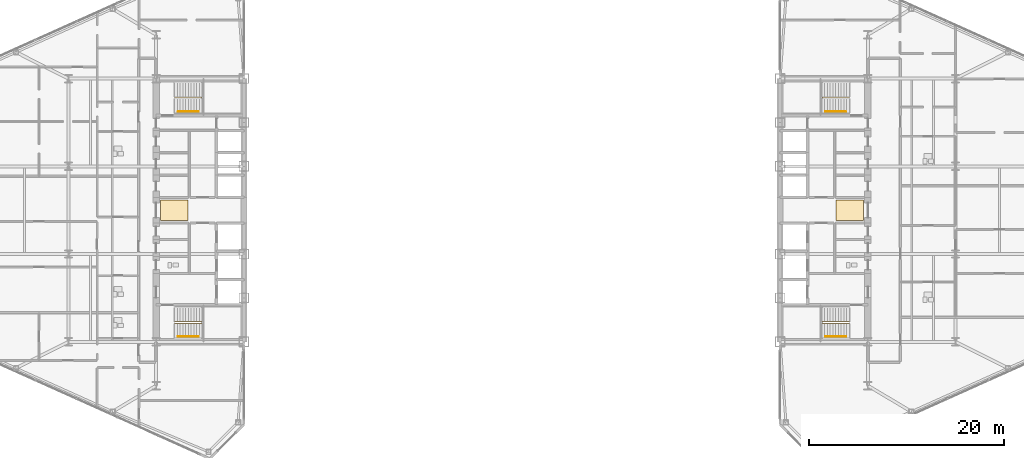
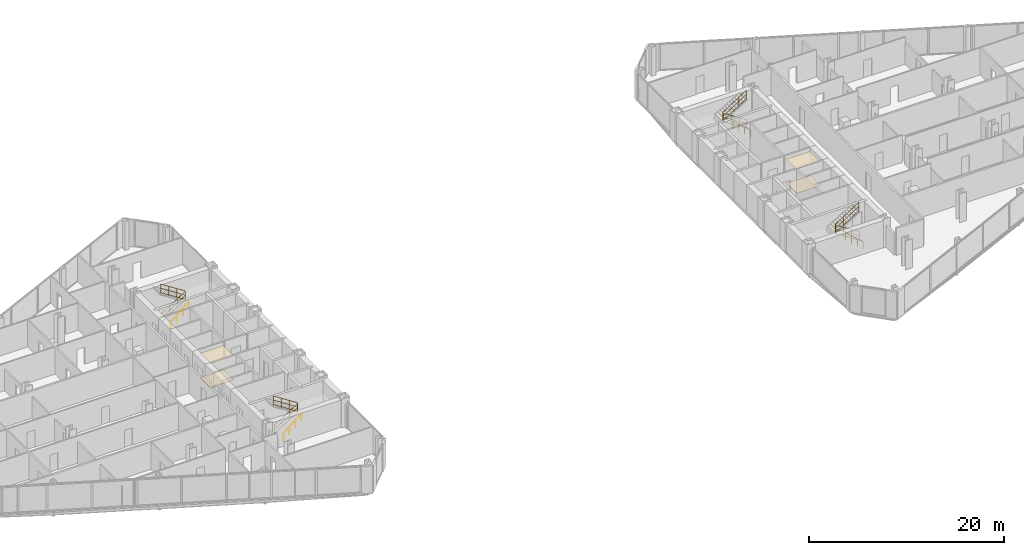
# One storey, part 26 of 27: 8 railings, 4 coverings.
"""IFC4 building model written with IfcOpenShell, lengths in metres."""

from ifc_helpers import new_model, si_unit, direction, frame, origin, origin_2d, place, context, subcontext, project, spatial, polyline, circle, outline, extrude, material, layer, layer_set, type_object, element, save


model = new_model("IFC4")

# Units and contexts
model_context = context("Model", 3, precision=1e-05, world=origin(), true_north=direction((0.0, 1.0)))
body_context = subcontext(model_context, "Body", "Model", "MODEL_VIEW")
ifc_project = project(units=[si_unit("LENGTHUNIT", "METRE"), si_unit("AREAUNIT", "SQUARE_METRE"), si_unit("VOLUMEUNIT", "CUBIC_METRE"), si_unit("PLANEANGLEUNIT", "RADIAN"), si_unit("MASSUNIT", "GRAM", prefix="KILO")], contexts=[model_context])

# Site, building, storey
site_placement = place(None, origin())
site = spatial("IfcSite", under=ifc_project, at=site_placement, CompositionType="ELEMENT")
building_placement = place(site_placement, origin())
building = spatial("IfcBuilding", under=site, at=building_placement, Name="Seokmaru Belvedere", CompositionType="ELEMENT")
storey_placement = place(building_placement, frame((0.0, 0.0, 103.199951171875)))
storey = spatial("IfcBuildingStorey", under=building, at=storey_placement, Name="L27", CompositionType="ELEMENT", Elevation=103.199951171875)

# Coverings
ifc_material_1 = material(Name="Engineered White Oak Timber", Category="wood")
ifc_layer_1 = layer(ifc_material_1, 0.02197265625)
ifc_layer_set_1 = layer_set([ifc_layer_1], Name="Engineered White Oak Timber")
covering_type_1 = type_object("IfcCoveringType", Name="Engineered Oak Residence Floor Finish 22", PredefinedType="FLOORING", material=ifc_layer_set_1)
covering_1_placement = place(storey_placement, origin())
element("IfcCovering", 1, at=covering_1_placement, inside=storey, type_object=covering_type_1, Name="L27 W Foyer Floor Finish", PredefinedType="FLOORING", context=body_context, shape_type="SweptSolid", body=[
    extrude(outline(polyline([(-36.050048828125, -1.050048828125), (-33.25, -1.050048828125), (-33.25, 1.050048828125), (-36.050048828125, 1.050048828125), (-36.050048828125, -1.050048828125)])), origin(), (0.0, 0.0, 1.0), 0.02197265625),
])
covering_2_placement = place(storey_placement, origin())
element("IfcCovering", 2, at=covering_2_placement, inside=storey, type_object=covering_type_1, Name="L27 E Foyer Floor Finish", PredefinedType="FLOORING", context=body_context, shape_type="SweptSolid", body=[
    extrude(outline(polyline([(33.25, -1.050048828125), (36.050048828125, -1.050048828125), (36.050048828125, 1.050048828125), (33.25, 1.050048828125), (33.25, -1.050048828125)])), origin(), (0.0, 0.0, 1.0), 0.02197265625),
])
ifc_material_2 = material(Name="Fire-Rated Gypsum Shaftwall")
ifc_layer_2 = layer(ifc_material_2, 0.02490234375)
ifc_layer_set_2 = layer_set([ifc_layer_2], Name="Fire-Rated Gypsum Shaftwall")
covering_type_2 = type_object("IfcCoveringType", Name="Perforated Acoustic Gypsum Suspended Ceiling 25", PredefinedType="CEILING", material=ifc_layer_set_2)
covering_3_placement = place(storey_placement, frame((0.0, 0.0, 3.030029296875)))
element("IfcCovering", 3, at=covering_3_placement, inside=storey, type_object=covering_type_2, Name="L27 W Lift Foyer Acoustic Ceiling", PredefinedType="CEILING", context=body_context, shape_type="SweptSolid", body=[
    extrude(outline(polyline([(-36.050048828125, -1.050048828125), (-33.25, -1.050048828125), (-33.25, 1.050048828125), (-36.050048828125, 1.050048828125), (-36.050048828125, -1.050048828125)])), origin(), (0.0, 0.0, 1.0), 0.02490234375),
])
covering_4_placement = place(storey_placement, frame((0.0, 0.0, 3.030029296875)))
element("IfcCovering", 4, at=covering_4_placement, inside=storey, type_object=covering_type_2, Name="L27 E Lift Foyer Acoustic Ceiling", PredefinedType="CEILING", context=body_context, shape_type="SweptSolid", body=[
    extrude(outline(polyline([(33.25, -1.050048828125), (36.050048828125, -1.050048828125), (36.050048828125, 1.050048828125), (33.25, 1.050048828125), (33.25, -1.050048828125)])), origin(), (0.0, 0.0, 1.0), 0.02490234375),
])

# Railings
ifc_material_3 = material(Name="Stainless Steel 316", Category="steel")
railing_type_1 = type_object("IfcRailingType", Name="Stainless Steel Wall and Flight Handrail 900", PredefinedType="HANDRAIL", material=ifc_material_3)
for number, where, name in (
    (5, (-34.25, -12.949951171875, 0.0), "L27 Stair ST-W1 Wall Handrail"),
    (6, (-34.25, 10.110107421875, 0.0), "L27 Stair ST-W2 Wall Handrail"),
):
    element("IfcRailing", number, at=place(storey_placement, frame(where)), inside=storey, type_object=railing_type_1, Name=name, PredefinedType="HANDRAIL", context=body_context, shape_type="SweptSolid", body=[
        extrude(circle(Radius=0.02392578125, at=origin_2d()), frame((0.0, 0.0, 0.8759765625), z_axis=(0.759262832861, 0.0, 0.650784104474), x_axis=(0.0, 1.0, 0.0)), (0.0, 0.0, 1.0), 2.765869140625),
        extrude(circle(Radius=0.02099609375, at=origin_2d()), origin(), (0.0, 0.0, 1.0), 0.851806640625),
        extrude(circle(Radius=0.02099609375, at=origin_2d()), frame((0.699951171875, 0.0, 0.60009765625)), (0.0, 0.0, 1.0), 0.851806640625),
        extrude(circle(Radius=0.02099609375, at=origin_2d()), frame((1.400146484375, 0.0, 1.199951171875)), (0.0, 0.0, 1.0), 0.851806640625),
        extrude(circle(Radius=0.02099609375, at=origin_2d()), frame((2.10009765625, 0.0, 1.800048828125)), (0.0, 0.0, 1.0), 0.851806640625),
    ])
for number, where, name in (
    (7, (34.25, -12.949951171875, 0.0), "L27 Stair ST-E1 Wall Handrail"),
    (8, (34.25, 10.110107421875, 0.0), "L27 Stair ST-E2 Wall Handrail"),
):
    element("IfcRailing", number, at=place(storey_placement, frame(where)), inside=storey, type_object=railing_type_1, Name=name, PredefinedType="HANDRAIL", context=body_context, shape_type="SweptSolid", body=[
        extrude(circle(Radius=0.02392578125, at=origin_2d()), frame((0.0, 0.0, 0.8759765625), z_axis=(-0.759262832861, 0.0, 0.650784104474), x_axis=(0.0, -1.0, 0.0)), (0.0, 0.0, 1.0), 2.765869140625),
        extrude(circle(Radius=0.02099609375, at=origin_2d()), origin(), (0.0, 0.0, 1.0), 0.851806640625),
        extrude(circle(Radius=0.02099609375, at=origin_2d()), frame((-0.699951171875, 0.0, 0.60009765625)), (0.0, 0.0, 1.0), 0.851806640625),
        extrude(circle(Radius=0.02099609375, at=origin_2d()), frame((-1.400146484375, 0.0, 1.199951171875)), (0.0, 0.0, 1.0), 0.851806640625),
        extrude(circle(Radius=0.02099609375, at=origin_2d()), frame((-2.10009765625, 0.0, 1.800048828125)), (0.0, 0.0, 1.0), 0.851806640625),
    ])
railing_type_2 = type_object("IfcRailingType", Name="Stair Well and Atrium Steel Guardrail 1200", PredefinedType="GUARDRAIL", material=ifc_material_3)
railing_1_placement = place(storey_placement, frame((-34.60009765625, -11.60009765625, 0.0)))
element("IfcRailing", 9, at=railing_1_placement, inside=storey, type_object=railing_type_2, Name="L27 Stair ST-W1 Inner Well Guardrail", PredefinedType="GUARDRAIL", context=body_context, shape_type="SweptSolid", body=[
    extrude(circle(Radius=0.02392578125, at=origin_2d()), frame((0.0, 0.0, 1.17578125), z_axis=(0.841176092368, 0.0, 0.540761298198), x_axis=(0.0, 1.0, 0.0)), (0.0, 0.0, 1.0), 3.32861328125),
    extrude(circle(Radius=0.02392578125, at=origin_2d()), frame((0.0, 0.0, 0.1201171875), z_axis=(0.841176092368, 0.0, 0.540761298198), x_axis=(0.0, 1.0, 0.0)), (0.0, 0.0, 1.0), 3.32861328125),
    extrude(circle(Radius=0.02392578125, at=origin_2d()), frame((0.0, 0.0, 0.659912109375), z_axis=(0.841176092368, 0.0, 0.540761298198), x_axis=(0.0, 1.0, 0.0)), (0.0, 0.0, 1.0), 3.32861328125),
    extrude(circle(Radius=0.02392578125, at=origin_2d()), frame((2.800048828125, 0.0, 2.97607421875), z_axis=(0.0, 1.0, 0.0), x_axis=(-1.0, 0.0, 0.0)), (0.0, 0.0, 1.0), 0.14013671875),
    extrude(circle(Radius=0.02392578125, at=origin_2d()), frame((2.800048828125, 0.0, 1.920166015625), z_axis=(0.0, 1.0, 0.0), x_axis=(-1.0, 0.0, 0.0)), (0.0, 0.0, 1.0), 0.14013671875),
    extrude(circle(Radius=0.02392578125, at=origin_2d()), frame((2.800048828125, 0.0, 2.4599609375), z_axis=(0.0, 1.0, 0.0), x_axis=(-1.0, 0.0, 0.0)), (0.0, 0.0, 1.0), 0.14013671875),
    extrude(circle(Radius=0.02392578125, at=origin_2d()), frame((2.800048828125, 0.14013671875, 2.97607421875), z_axis=(-0.841176092368, 0.0, 0.540761298198), x_axis=(0.0, -1.0, 0.0)), (0.0, 0.0, 1.0), 3.32861328125),
    extrude(circle(Radius=0.02392578125, at=origin_2d()), frame((2.800048828125, 0.14013671875, 1.920166015625), z_axis=(-0.841176092368, 0.0, 0.540761298198), x_axis=(0.0, -1.0, 0.0)), (0.0, 0.0, 1.0), 3.32861328125),
    extrude(circle(Radius=0.02392578125, at=origin_2d()), frame((2.800048828125, 0.14013671875, 2.4599609375), z_axis=(-0.841176092368, 0.0, 0.540761298198), x_axis=(0.0, -1.0, 0.0)), (0.0, 0.0, 1.0), 3.32861328125),
    extrude(circle(Radius=0.02099609375, at=origin_2d()), origin(), (0.0, 0.0, 1.0), 1.15185546875),
    extrude(circle(Radius=0.02099609375, at=origin_2d()), frame((0.933349609375, 0.0, 0.60009765625)), (0.0, 0.0, 1.0), 1.15185546875),
    extrude(circle(Radius=0.02099609375, at=origin_2d()), frame((1.86669921875, 0.0, 1.199951171875)), (0.0, 0.0, 1.0), 1.15185546875),
    extrude(circle(Radius=0.02099609375, at=origin_2d()), frame((2.800048828125, 0.0, 1.800048828125)), (0.0, 0.0, 1.0), 1.15185546875),
    extrude(circle(Radius=0.02099609375, at=origin_2d()), frame((2.800048828125, 0.14013671875, 1.800048828125)), (0.0, 0.0, 1.0), 1.15185546875),
    extrude(circle(Radius=0.02099609375, at=origin_2d()), frame((1.86669921875, 0.14013671875, 2.400146484375)), (0.0, 0.0, 1.0), 1.15185546875),
    extrude(circle(Radius=0.02099609375, at=origin_2d()), frame((0.933349609375, 0.14013671875, 3.0)), (0.0, 0.0, 1.0), 1.15185546875),
    extrude(circle(Radius=0.02099609375, at=origin_2d()), frame((0.0, 0.14013671875, 3.60009765625)), (0.0, 0.0, 1.0), 1.15185546875),
])
railing_2_placement = place(storey_placement, frame((-34.60009765625, 11.4599609375, 0.0)))
element("IfcRailing", 10, at=railing_2_placement, inside=storey, type_object=railing_type_2, Name="L27 Stair ST-W2 Inner Well Guardrail", PredefinedType="GUARDRAIL", context=body_context, shape_type="SweptSolid", body=[
    extrude(circle(Radius=0.02392578125, at=origin_2d()), frame((0.0, 0.0, 1.17578125), z_axis=(0.841176092368, 0.0, 0.540761298198), x_axis=(0.0, 1.0, 0.0)), (0.0, 0.0, 1.0), 3.32861328125),
    extrude(circle(Radius=0.02392578125, at=origin_2d()), frame((0.0, 0.0, 0.1201171875), z_axis=(0.841176092368, 0.0, 0.540761298198), x_axis=(0.0, 1.0, 0.0)), (0.0, 0.0, 1.0), 3.32861328125),
    extrude(circle(Radius=0.02392578125, at=origin_2d()), frame((0.0, 0.0, 0.659912109375), z_axis=(0.841176092368, 0.0, 0.540761298198), x_axis=(0.0, 1.0, 0.0)), (0.0, 0.0, 1.0), 3.32861328125),
    extrude(circle(Radius=0.02392578125, at=origin_2d()), frame((2.800048828125, 0.0, 2.97607421875), z_axis=(0.0, 1.0, 0.0), x_axis=(-1.0, 0.0, 0.0)), (0.0, 0.0, 1.0), 0.14013671875),
    extrude(circle(Radius=0.02392578125, at=origin_2d()), frame((2.800048828125, 0.0, 1.920166015625), z_axis=(0.0, 1.0, 0.0), x_axis=(-1.0, 0.0, 0.0)), (0.0, 0.0, 1.0), 0.14013671875),
    extrude(circle(Radius=0.02392578125, at=origin_2d()), frame((2.800048828125, 0.0, 2.4599609375), z_axis=(0.0, 1.0, 0.0), x_axis=(-1.0, 0.0, 0.0)), (0.0, 0.0, 1.0), 0.14013671875),
    extrude(circle(Radius=0.02392578125, at=origin_2d()), frame((2.800048828125, 0.14013671875, 2.97607421875), z_axis=(-0.841176092368, 0.0, 0.540761298198), x_axis=(0.0, -1.0, 0.0)), (0.0, 0.0, 1.0), 3.32861328125),
    extrude(circle(Radius=0.02392578125, at=origin_2d()), frame((2.800048828125, 0.14013671875, 1.920166015625), z_axis=(-0.841176092368, 0.0, 0.540761298198), x_axis=(0.0, -1.0, 0.0)), (0.0, 0.0, 1.0), 3.32861328125),
    extrude(circle(Radius=0.02392578125, at=origin_2d()), frame((2.800048828125, 0.14013671875, 2.4599609375), z_axis=(-0.841176092368, 0.0, 0.540761298198), x_axis=(0.0, -1.0, 0.0)), (0.0, 0.0, 1.0), 3.32861328125),
    extrude(circle(Radius=0.02099609375, at=origin_2d()), origin(), (0.0, 0.0, 1.0), 1.15185546875),
    extrude(circle(Radius=0.02099609375, at=origin_2d()), frame((0.933349609375, 0.0, 0.60009765625)), (0.0, 0.0, 1.0), 1.15185546875),
    extrude(circle(Radius=0.02099609375, at=origin_2d()), frame((1.86669921875, 0.0, 1.199951171875)), (0.0, 0.0, 1.0), 1.15185546875),
    extrude(circle(Radius=0.02099609375, at=origin_2d()), frame((2.800048828125, 0.0, 1.800048828125)), (0.0, 0.0, 1.0), 1.15185546875),
    extrude(circle(Radius=0.02099609375, at=origin_2d()), frame((2.800048828125, 0.14013671875, 1.800048828125)), (0.0, 0.0, 1.0), 1.15185546875),
    extrude(circle(Radius=0.02099609375, at=origin_2d()), frame((1.86669921875, 0.14013671875, 2.400146484375)), (0.0, 0.0, 1.0), 1.15185546875),
    extrude(circle(Radius=0.02099609375, at=origin_2d()), frame((0.933349609375, 0.14013671875, 3.0)), (0.0, 0.0, 1.0), 1.15185546875),
    extrude(circle(Radius=0.02099609375, at=origin_2d()), frame((0.0, 0.14013671875, 3.60009765625)), (0.0, 0.0, 1.0), 1.15185546875),
])
railing_3_placement = place(storey_placement, frame((34.60009765625, -11.60009765625, 0.0)))
element("IfcRailing", 11, at=railing_3_placement, inside=storey, type_object=railing_type_2, Name="L27 Stair ST-E1 Inner Well Guardrail", PredefinedType="GUARDRAIL", context=body_context, shape_type="SweptSolid", body=[
    extrude(circle(Radius=0.02392578125, at=origin_2d()), frame((0.0, 0.0, 1.17578125), z_axis=(-0.841176092368, 0.0, 0.540761298198), x_axis=(0.0, -1.0, 0.0)), (0.0, 0.0, 1.0), 3.32861328125),
    extrude(circle(Radius=0.02392578125, at=origin_2d()), frame((0.0, 0.0, 0.1201171875), z_axis=(-0.841176092368, 0.0, 0.540761298198), x_axis=(0.0, -1.0, 0.0)), (0.0, 0.0, 1.0), 3.32861328125),
    extrude(circle(Radius=0.02392578125, at=origin_2d()), frame((0.0, 0.0, 0.659912109375), z_axis=(-0.841176092368, 0.0, 0.540761298198), x_axis=(0.0, -1.0, 0.0)), (0.0, 0.0, 1.0), 3.32861328125),
    extrude(circle(Radius=0.02392578125, at=origin_2d()), frame((-2.800048828125, 0.0, 2.97607421875), z_axis=(0.0, 1.0, 0.0), x_axis=(-1.0, 0.0, 0.0)), (0.0, 0.0, 1.0), 0.14013671875),
    extrude(circle(Radius=0.02392578125, at=origin_2d()), frame((-2.800048828125, 0.0, 1.920166015625), z_axis=(0.0, 1.0, 0.0), x_axis=(-1.0, 0.0, 0.0)), (0.0, 0.0, 1.0), 0.14013671875),
    extrude(circle(Radius=0.02392578125, at=origin_2d()), frame((-2.800048828125, 0.0, 2.4599609375), z_axis=(0.0, 1.0, 0.0), x_axis=(-1.0, 0.0, 0.0)), (0.0, 0.0, 1.0), 0.14013671875),
    extrude(circle(Radius=0.02392578125, at=origin_2d()), frame((-2.800048828125, 0.14013671875, 2.97607421875), z_axis=(0.841176092368, 0.0, 0.540761298198), x_axis=(0.0, 1.0, 0.0)), (0.0, 0.0, 1.0), 3.32861328125),
    extrude(circle(Radius=0.02392578125, at=origin_2d()), frame((-2.800048828125, 0.14013671875, 1.920166015625), z_axis=(0.841176092368, 0.0, 0.540761298198), x_axis=(0.0, 1.0, 0.0)), (0.0, 0.0, 1.0), 3.32861328125),
    extrude(circle(Radius=0.02392578125, at=origin_2d()), frame((-2.800048828125, 0.14013671875, 2.4599609375), z_axis=(0.841176092368, 0.0, 0.540761298198), x_axis=(0.0, 1.0, 0.0)), (0.0, 0.0, 1.0), 3.32861328125),
    extrude(circle(Radius=0.02099609375, at=origin_2d()), origin(), (0.0, 0.0, 1.0), 1.15185546875),
    extrude(circle(Radius=0.02099609375, at=origin_2d()), frame((-0.933349609375, 0.0, 0.60009765625)), (0.0, 0.0, 1.0), 1.15185546875),
    extrude(circle(Radius=0.02099609375, at=origin_2d()), frame((-1.86669921875, 0.0, 1.199951171875)), (0.0, 0.0, 1.0), 1.15185546875),
    extrude(circle(Radius=0.02099609375, at=origin_2d()), frame((-2.800048828125, 0.0, 1.800048828125)), (0.0, 0.0, 1.0), 1.15185546875),
    extrude(circle(Radius=0.02099609375, at=origin_2d()), frame((-2.800048828125, 0.14013671875, 1.800048828125)), (0.0, 0.0, 1.0), 1.15185546875),
    extrude(circle(Radius=0.02099609375, at=origin_2d()), frame((-1.86669921875, 0.14013671875, 2.400146484375)), (0.0, 0.0, 1.0), 1.15185546875),
    extrude(circle(Radius=0.02099609375, at=origin_2d()), frame((-0.933349609375, 0.14013671875, 3.0)), (0.0, 0.0, 1.0), 1.15185546875),
    extrude(circle(Radius=0.02099609375, at=origin_2d()), frame((0.0, 0.14013671875, 3.60009765625)), (0.0, 0.0, 1.0), 1.15185546875),
])
railing_4_placement = place(storey_placement, frame((34.60009765625, 11.4599609375, 0.0)))
element("IfcRailing", 12, at=railing_4_placement, inside=storey, type_object=railing_type_2, Name="L27 Stair ST-E2 Inner Well Guardrail", PredefinedType="GUARDRAIL", context=body_context, shape_type="SweptSolid", body=[
    extrude(circle(Radius=0.02392578125, at=origin_2d()), frame((0.0, 0.0, 1.17578125), z_axis=(-0.841176092368, 0.0, 0.540761298198), x_axis=(0.0, -1.0, 0.0)), (0.0, 0.0, 1.0), 3.32861328125),
    extrude(circle(Radius=0.02392578125, at=origin_2d()), frame((0.0, 0.0, 0.1201171875), z_axis=(-0.841176092368, 0.0, 0.540761298198), x_axis=(0.0, -1.0, 0.0)), (0.0, 0.0, 1.0), 3.32861328125),
    extrude(circle(Radius=0.02392578125, at=origin_2d()), frame((0.0, 0.0, 0.659912109375), z_axis=(-0.841176092368, 0.0, 0.540761298198), x_axis=(0.0, -1.0, 0.0)), (0.0, 0.0, 1.0), 3.32861328125),
    extrude(circle(Radius=0.02392578125, at=origin_2d()), frame((-2.800048828125, 0.0, 2.97607421875), z_axis=(0.0, 1.0, 0.0), x_axis=(-1.0, 0.0, 0.0)), (0.0, 0.0, 1.0), 0.14013671875),
    extrude(circle(Radius=0.02392578125, at=origin_2d()), frame((-2.800048828125, 0.0, 1.920166015625), z_axis=(0.0, 1.0, 0.0), x_axis=(-1.0, 0.0, 0.0)), (0.0, 0.0, 1.0), 0.14013671875),
    extrude(circle(Radius=0.02392578125, at=origin_2d()), frame((-2.800048828125, 0.0, 2.4599609375), z_axis=(0.0, 1.0, 0.0), x_axis=(-1.0, 0.0, 0.0)), (0.0, 0.0, 1.0), 0.14013671875),
    extrude(circle(Radius=0.02392578125, at=origin_2d()), frame((-2.800048828125, 0.14013671875, 2.97607421875), z_axis=(0.841176092368, 0.0, 0.540761298198), x_axis=(0.0, 1.0, 0.0)), (0.0, 0.0, 1.0), 3.32861328125),
    extrude(circle(Radius=0.02392578125, at=origin_2d()), frame((-2.800048828125, 0.14013671875, 1.920166015625), z_axis=(0.841176092368, 0.0, 0.540761298198), x_axis=(0.0, 1.0, 0.0)), (0.0, 0.0, 1.0), 3.32861328125),
    extrude(circle(Radius=0.02392578125, at=origin_2d()), frame((-2.800048828125, 0.14013671875, 2.4599609375), z_axis=(0.841176092368, 0.0, 0.540761298198), x_axis=(0.0, 1.0, 0.0)), (0.0, 0.0, 1.0), 3.32861328125),
    extrude(circle(Radius=0.02099609375, at=origin_2d()), origin(), (0.0, 0.0, 1.0), 1.15185546875),
    extrude(circle(Radius=0.02099609375, at=origin_2d()), frame((-0.933349609375, 0.0, 0.60009765625)), (0.0, 0.0, 1.0), 1.15185546875),
    extrude(circle(Radius=0.02099609375, at=origin_2d()), frame((-1.86669921875, 0.0, 1.199951171875)), (0.0, 0.0, 1.0), 1.15185546875),
    extrude(circle(Radius=0.02099609375, at=origin_2d()), frame((-2.800048828125, 0.0, 1.800048828125)), (0.0, 0.0, 1.0), 1.15185546875),
    extrude(circle(Radius=0.02099609375, at=origin_2d()), frame((-2.800048828125, 0.14013671875, 1.800048828125)), (0.0, 0.0, 1.0), 1.15185546875),
    extrude(circle(Radius=0.02099609375, at=origin_2d()), frame((-1.86669921875, 0.14013671875, 2.400146484375)), (0.0, 0.0, 1.0), 1.15185546875),
    extrude(circle(Radius=0.02099609375, at=origin_2d()), frame((-0.933349609375, 0.14013671875, 3.0)), (0.0, 0.0, 1.0), 1.15185546875),
    extrude(circle(Radius=0.02099609375, at=origin_2d()), frame((0.0, 0.14013671875, 3.60009765625)), (0.0, 0.0, 1.0), 1.15185546875),
])

save(model, "model.ifc")
